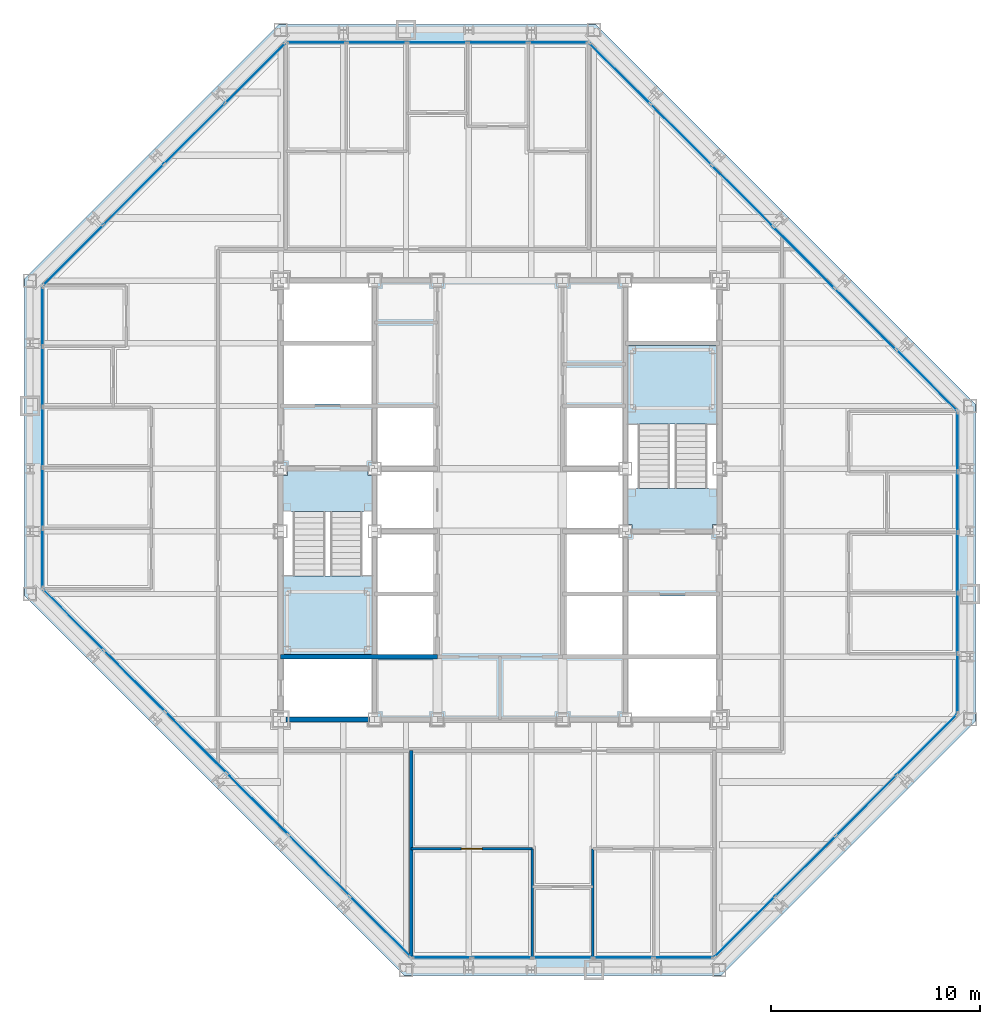
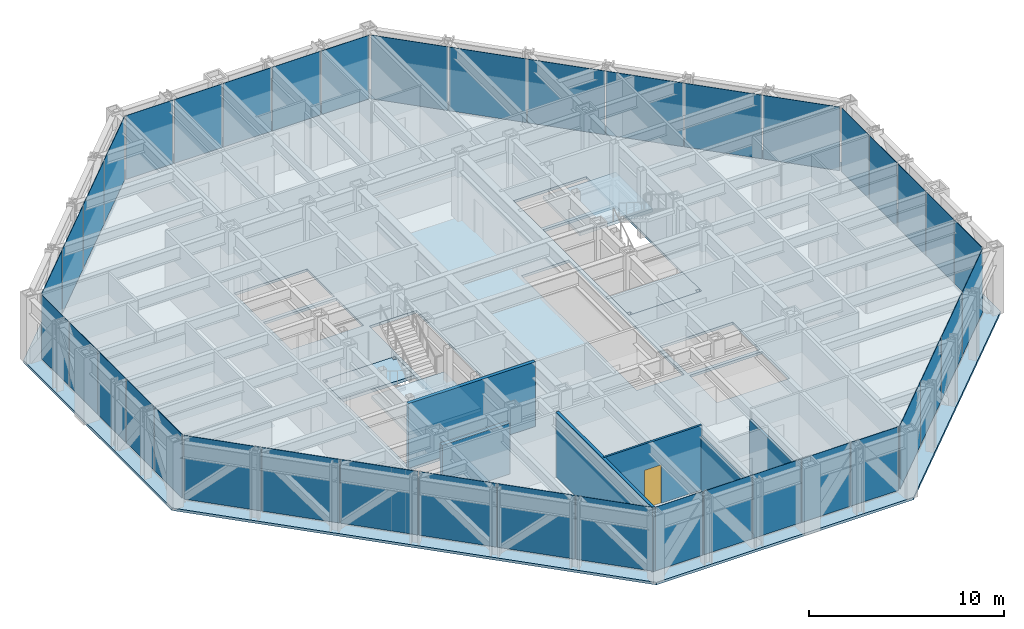
# One storey, part 10 of 16: 40 plates, 6 walls, 5 slabs, 1 door, 1 opening, 10 elements without a shape of their own.
"""IFC4 building model written with IfcOpenShell, lengths in metres."""

from ifc_helpers import new_model, si_unit, direction, frame, frame_2d, origin, origin_2d, place, context, subcontext, project, spatial, polyline, rectangle, outline, extrude, material, layer, layer_set, type_object, element, fill, aggregate, save


model = new_model("IFC4")

# Units and contexts
model_context = context("Model", 3, precision=1e-05, world=origin(), true_north=direction((0.0, 1.0)))
body_context = subcontext(model_context, "Body", "Model", "MODEL_VIEW")
ifc_project = project(units=[si_unit("LENGTHUNIT", "METRE"), si_unit("AREAUNIT", "SQUARE_METRE"), si_unit("VOLUMEUNIT", "CUBIC_METRE"), si_unit("PLANEANGLEUNIT", "RADIAN"), si_unit("MASSUNIT", "GRAM", prefix="KILO")], contexts=[model_context])

# Site, building, storey
site_placement = place(None, origin())
site = spatial("IfcSite", under=ifc_project, at=site_placement, CompositionType="ELEMENT")
building_placement = place(site_placement, origin())
building = spatial("IfcBuilding", under=site, at=building_placement, Name="Chuquiago Exchange Tower", CompositionType="ELEMENT")
storey_placement = place(building_placement, frame((0.0, 0.0, 201.300048828125)))
storey = spatial("IfcBuildingStorey", under=building, at=storey_placement, Name="L44", CompositionType="ELEMENT", Elevation=201.300048828125)

# Curtain wall, plate
ifc_material_1 = material(Name="Aluminium curtain wall system", Category="aluminium")
ifc_layer_1 = layer(ifc_material_1, 0.22509765625)
ifc_layer_set_1 = layer_set([ifc_layer_1], Name="CW2 office curtain wall")
curtain_wall_type_1 = type_object("IfcCurtainWallType", Name="CW2 office curtain wall", PredefinedType="NOTDEFINED", material=ifc_layer_set_1)
curtain_wall_1_placement = place(storey_placement, origin())
curtain_wall_1 = element("IfcCurtainWall", 1, at=curtain_wall_1_placement, inside=storey, type_object=curtain_wall_type_1, Name="CW2 curtain wall L44", PredefinedType="NOTDEFINED")
ifc_material_2 = material(Name="Glass, insulating unit", Category="glass")
ifc_layer_2 = layer(ifc_material_2, 0.030029296875)
ifc_layer_set_2 = layer_set([ifc_layer_2], Name="CW2-P panel 30")
plate_type_1 = type_object("IfcPlateType", Name="CW2-P panel 30", PredefinedType="CURTAIN_PANEL", material=ifc_layer_set_2)
plate_1_placement = place(storey_placement, frame((25.5, 0.60009765625, 0.06494140625), z_axis=(0.0, 0.0, 1.0), x_axis=(1.0, 0.0, 0.0)))
plate_1 = element("IfcPlate", 2, at=plate_1_placement, type_object=plate_type_1, Name="CW2 panel 3.1", PredefinedType="CURTAIN_PANEL", context=body_context, shape_type="SweptSolid", body=[
    extrude(rectangle(XDim=2.835693359375, YDim=0.030029296875, at=origin_2d()), origin(), (0.0, 0.0, 1.0), 3.97509765625),
])

curtain_wall_2_placement = place(storey_placement, origin())
curtain_wall_2 = element("IfcCurtainWall", 3, at=curtain_wall_2_placement, inside=storey, type_object=curtain_wall_type_1, Name="CW2 curtain wall L44", PredefinedType="NOTDEFINED")
plate_2_placement = place(storey_placement, frame((44.39990234375, 19.5, 0.06494140625), z_axis=(0.0, 0.0, 1.0), x_axis=(0.0, 1.0, 0.0)))
plate_2 = element("IfcPlate", 4, at=plate_2_placement, type_object=plate_type_1, Name="CW2 panel 3.1", PredefinedType="CURTAIN_PANEL", context=body_context, shape_type="SweptSolid", body=[
    extrude(rectangle(XDim=2.835693359375, YDim=0.030029296875, at=origin_2d()), origin(), (0.0, 0.0, 1.0), 3.97509765625),
])

curtain_wall_3_placement = place(storey_placement, origin())
curtain_wall_3 = element("IfcCurtainWall", 5, at=curtain_wall_3_placement, inside=storey, type_object=curtain_wall_type_1, Name="CW2 curtain wall L44", PredefinedType="NOTDEFINED")
plate_3_placement = place(storey_placement, frame((19.5, 44.39990234375, 0.06494140625), z_axis=(0.0, 0.0, 1.0), x_axis=(-1.0, 0.0, 0.0)))
plate_3 = element("IfcPlate", 6, at=plate_3_placement, type_object=plate_type_1, Name="CW2 panel 3.1", PredefinedType="CURTAIN_PANEL", context=body_context, shape_type="SweptSolid", body=[
    extrude(rectangle(XDim=2.835693359375, YDim=0.030029296875, at=origin_2d()), origin(), (0.0, 0.0, 1.0), 3.97509765625),
])

curtain_wall_4_placement = place(storey_placement, origin())
curtain_wall_4 = element("IfcCurtainWall", 7, at=curtain_wall_4_placement, inside=storey, type_object=curtain_wall_type_1, Name="CW2 curtain wall L44", PredefinedType="NOTDEFINED")
plate_4_placement = place(storey_placement, frame((0.60009765625, 25.5, 0.06494140625), z_axis=(0.0, 0.0, 1.0), x_axis=(0.0, -1.0, 0.0)))
plate_4 = element("IfcPlate", 8, at=plate_4_placement, type_object=plate_type_1, Name="CW2 panel 3.1", PredefinedType="CURTAIN_PANEL", context=body_context, shape_type="SweptSolid", body=[
    extrude(rectangle(XDim=2.835693359375, YDim=0.030029296875, at=origin_2d()), origin(), (0.0, 0.0, 1.0), 3.97509765625),
])

# Plate
ifc_material_3 = material(Name="Insulated spandrel panel, pale anodised aluminium", Category="aluminium")
ifc_layer_3 = layer(ifc_material_3, 0.030029296875)
ifc_layer_set_3 = layer_set([ifc_layer_3], Name="CW2-P spandrel panel 30")
plate_type_2 = type_object("IfcPlateType", Name="CW2-P spandrel panel 30", PredefinedType="CURTAIN_PANEL", material=ifc_layer_set_3)
plate_5_placement = place(storey_placement, frame((19.715087890625, 0.60009765625, 0.06494140625), z_axis=(0.0, 0.0, 1.0), x_axis=(1.0, 0.0, 0.0)))
plate_5 = element("IfcPlate", 9, at=plate_5_placement, type_object=plate_type_2, Name="CW2 panel 1.1", PredefinedType="CURTAIN_PANEL", context=body_context, shape_type="SweptSolid", body=[
    extrude(rectangle(XDim=2.802978515625, YDim=0.030029296875, at=origin_2d()), origin(), (0.0, 0.0, 1.0), 3.97509765625),
])

plate_6_placement = place(storey_placement, frame((22.599365234375, 0.60009765625, 0.06494140625), z_axis=(0.0, 0.0, 1.0), x_axis=(1.0, 0.0, 0.0)))
plate_6 = element("IfcPlate", 10, at=plate_6_placement, type_object=plate_type_2, Name="CW2 panel 2.1", PredefinedType="CURTAIN_PANEL", context=body_context, shape_type="SweptSolid", body=[
    extrude(rectangle(XDim=2.835693359375, YDim=0.030029296875, at=origin_2d()), origin(), (0.0, 0.0, 1.0), 3.97509765625),
])

plate_7_placement = place(storey_placement, frame((28.400634765625, 0.60009765625, 0.06494140625), z_axis=(0.0, 0.0, 1.0), x_axis=(1.0, 0.0, 0.0)))
plate_7 = element("IfcPlate", 11, at=plate_7_placement, type_object=plate_type_2, Name="CW2 panel 4.1", PredefinedType="CURTAIN_PANEL", context=body_context, shape_type="SweptSolid", body=[
    extrude(rectangle(XDim=2.835693359375, YDim=0.030029296875, at=origin_2d()), origin(), (0.0, 0.0, 1.0), 3.97509765625),
])

plate_8_placement = place(storey_placement, frame((31.284912109375, 0.60009765625, 0.06494140625), z_axis=(0.0, 0.0, 1.0), x_axis=(1.0, 0.0, 0.0)))
plate_8 = element("IfcPlate", 12, at=plate_8_placement, type_object=plate_type_2, Name="CW2 panel 5.1", PredefinedType="CURTAIN_PANEL", context=body_context, shape_type="SweptSolid", body=[
    extrude(rectangle(XDim=2.802978515625, YDim=0.030029296875, at=origin_2d()), origin(), (0.0, 0.0, 1.0), 3.97509765625),
])

aggregate(curtain_wall_1, [plate_5, plate_6, plate_1, plate_7, plate_8])

plate_9_placement = place(storey_placement, frame((44.39990234375, 13.715087890625, 0.06494140625), z_axis=(0.0, 0.0, 1.0), x_axis=(0.0, 1.0, 0.0)))
plate_9 = element("IfcPlate", 13, at=plate_9_placement, type_object=plate_type_2, Name="CW2 panel 1.1", PredefinedType="CURTAIN_PANEL", context=body_context, shape_type="SweptSolid", body=[
    extrude(rectangle(XDim=2.802978515625, YDim=0.030029296875, at=origin_2d()), origin(), (0.0, 0.0, 1.0), 3.97509765625),
])

plate_10_placement = place(storey_placement, frame((44.39990234375, 16.599365234375, 0.06494140625), z_axis=(0.0, 0.0, 1.0), x_axis=(0.0, 1.0, 0.0)))
plate_10 = element("IfcPlate", 14, at=plate_10_placement, type_object=plate_type_2, Name="CW2 panel 2.1", PredefinedType="CURTAIN_PANEL", context=body_context, shape_type="SweptSolid", body=[
    extrude(rectangle(XDim=2.835693359375, YDim=0.030029296875, at=origin_2d()), origin(), (0.0, 0.0, 1.0), 3.97509765625),
])

plate_11_placement = place(storey_placement, frame((44.39990234375, 22.400634765625, 0.06494140625), z_axis=(0.0, 0.0, 1.0), x_axis=(0.0, 1.0, 0.0)))
plate_11 = element("IfcPlate", 15, at=plate_11_placement, type_object=plate_type_2, Name="CW2 panel 4.1", PredefinedType="CURTAIN_PANEL", context=body_context, shape_type="SweptSolid", body=[
    extrude(rectangle(XDim=2.835693359375, YDim=0.030029296875, at=origin_2d()), origin(), (0.0, 0.0, 1.0), 3.97509765625),
])

plate_12_placement = place(storey_placement, frame((44.39990234375, 25.284912109375, 0.06494140625), z_axis=(0.0, 0.0, 1.0), x_axis=(0.0, 1.0, 0.0)))
plate_12 = element("IfcPlate", 16, at=plate_12_placement, type_object=plate_type_2, Name="CW2 panel 5.1", PredefinedType="CURTAIN_PANEL", context=body_context, shape_type="SweptSolid", body=[
    extrude(rectangle(XDim=2.802978515625, YDim=0.030029296875, at=origin_2d()), origin(), (0.0, 0.0, 1.0), 3.97509765625),
])

aggregate(curtain_wall_2, [plate_9, plate_10, plate_2, plate_11, plate_12])

plate_13_placement = place(storey_placement, frame((25.284912109375, 44.39990234375, 0.06494140625), z_axis=(0.0, 0.0, 1.0), x_axis=(-1.0, 0.0, 0.0)))
plate_13 = element("IfcPlate", 17, at=plate_13_placement, type_object=plate_type_2, Name="CW2 panel 1.1", PredefinedType="CURTAIN_PANEL", context=body_context, shape_type="SweptSolid", body=[
    extrude(rectangle(XDim=2.802978515625, YDim=0.030029296875, at=origin_2d()), origin(), (0.0, 0.0, 1.0), 3.97509765625),
])

plate_14_placement = place(storey_placement, frame((22.400634765625, 44.39990234375, 0.06494140625), z_axis=(0.0, 0.0, 1.0), x_axis=(-1.0, 0.0, 0.0)))
plate_14 = element("IfcPlate", 18, at=plate_14_placement, type_object=plate_type_2, Name="CW2 panel 2.1", PredefinedType="CURTAIN_PANEL", context=body_context, shape_type="SweptSolid", body=[
    extrude(rectangle(XDim=2.835693359375, YDim=0.030029296875, at=origin_2d()), origin(), (0.0, 0.0, 1.0), 3.97509765625),
])

plate_15_placement = place(storey_placement, frame((16.599365234375, 44.39990234375, 0.06494140625), z_axis=(0.0, 0.0, 1.0), x_axis=(-1.0, 0.0, 0.0)))
plate_15 = element("IfcPlate", 19, at=plate_15_placement, type_object=plate_type_2, Name="CW2 panel 4.1", PredefinedType="CURTAIN_PANEL", context=body_context, shape_type="SweptSolid", body=[
    extrude(rectangle(XDim=2.835693359375, YDim=0.030029296875, at=origin_2d()), origin(), (0.0, 0.0, 1.0), 3.97509765625),
])

plate_16_placement = place(storey_placement, frame((13.715087890625, 44.39990234375, 0.06494140625), z_axis=(0.0, 0.0, 1.0), x_axis=(-1.0, 0.0, 0.0)))
plate_16 = element("IfcPlate", 20, at=plate_16_placement, type_object=plate_type_2, Name="CW2 panel 5.1", PredefinedType="CURTAIN_PANEL", context=body_context, shape_type="SweptSolid", body=[
    extrude(rectangle(XDim=2.802978515625, YDim=0.030029296875, at=origin_2d()), origin(), (0.0, 0.0, 1.0), 3.97509765625),
])

aggregate(curtain_wall_3, [plate_13, plate_14, plate_3, plate_15, plate_16])

plate_17_placement = place(storey_placement, frame((0.60009765625, 31.284912109375, 0.06494140625), z_axis=(0.0, 0.0, 1.0), x_axis=(0.0, -1.0, 0.0)))
plate_17 = element("IfcPlate", 21, at=plate_17_placement, type_object=plate_type_2, Name="CW2 panel 1.1", PredefinedType="CURTAIN_PANEL", context=body_context, shape_type="SweptSolid", body=[
    extrude(rectangle(XDim=2.802978515625, YDim=0.030029296875, at=origin_2d()), origin(), (0.0, 0.0, 1.0), 3.97509765625),
])

plate_18_placement = place(storey_placement, frame((0.60009765625, 28.400634765625, 0.06494140625), z_axis=(0.0, 0.0, 1.0), x_axis=(0.0, -1.0, 0.0)))
plate_18 = element("IfcPlate", 22, at=plate_18_placement, type_object=plate_type_2, Name="CW2 panel 2.1", PredefinedType="CURTAIN_PANEL", context=body_context, shape_type="SweptSolid", body=[
    extrude(rectangle(XDim=2.835693359375, YDim=0.030029296875, at=origin_2d()), origin(), (0.0, 0.0, 1.0), 3.97509765625),
])

plate_19_placement = place(storey_placement, frame((0.60009765625, 22.599365234375, 0.06494140625), z_axis=(0.0, 0.0, 1.0), x_axis=(0.0, -1.0, 0.0)))
plate_19 = element("IfcPlate", 23, at=plate_19_placement, type_object=plate_type_2, Name="CW2 panel 4.1", PredefinedType="CURTAIN_PANEL", context=body_context, shape_type="SweptSolid", body=[
    extrude(rectangle(XDim=2.835693359375, YDim=0.030029296875, at=origin_2d()), origin(), (0.0, 0.0, 1.0), 3.97509765625),
])

plate_20_placement = place(storey_placement, frame((0.60009765625, 19.715087890625, 0.06494140625), z_axis=(0.0, 0.0, 1.0), x_axis=(0.0, -1.0, 0.0)))
plate_20 = element("IfcPlate", 24, at=plate_20_placement, type_object=plate_type_2, Name="CW2 panel 5.1", PredefinedType="CURTAIN_PANEL", context=body_context, shape_type="SweptSolid", body=[
    extrude(rectangle(XDim=2.802978515625, YDim=0.030029296875, at=origin_2d()), origin(), (0.0, 0.0, 1.0), 3.97509765625),
])

aggregate(curtain_wall_4, [plate_17, plate_18, plate_4, plate_19, plate_20])

# Curtain wall, plates
ifc_material_4 = material(Name="Aluminium curtain wall system", Category="aluminium")
ifc_layer_4 = layer(ifc_material_4, 0.199951171875)
ifc_layer_set_4 = layer_set([ifc_layer_4], Name="CW3 facet curtain wall")
curtain_wall_type_2 = type_object("IfcCurtainWallType", Name="CW3 facet curtain wall", PredefinedType="NOTDEFINED", material=ifc_layer_set_4)
curtain_wall_5_placement = place(storey_placement, origin())
curtain_wall_5 = element("IfcCurtainWall", 25, at=curtain_wall_5_placement, inside=storey, type_object=curtain_wall_type_2, Name="CW3 curtain wall L44", PredefinedType="NOTDEFINED")
ifc_material_5 = material(Name="Insulated spandrel panel, pale anodised aluminium", Category="aluminium")
ifc_layer_5 = layer(ifc_material_5, 0.030029296875)
ifc_layer_set_5 = layer_set([ifc_layer_5], Name="CW3-P spandrel panel 30")
plate_type_3 = type_object("IfcPlateType", Name="CW3-P spandrel panel 30", PredefinedType="CURTAIN_PANEL", material=ifc_layer_set_5)
plate_21_placement = place(storey_placement, frame((34.218994140625, 2.067626953125, 0.06494140625), z_axis=(0.0, 0.0, 1.0), x_axis=(0.707106781187, 0.707106781187, 0.0)))
plate_21 = element("IfcPlate", 26, at=plate_21_placement, type_object=plate_type_3, Name="CW3 panel 1.1", PredefinedType="CURTAIN_PANEL", context=body_context, shape_type="SweptSolid", body=[
    extrude(rectangle(XDim=4.020751953125, YDim=0.030029296875, at=origin_2d()), origin(), (0.0, 0.0, 1.0), 3.97509765625),
])
plate_22_placement = place(storey_placement, frame((37.11962890625, 4.96826171875, 0.06494140625), z_axis=(0.0, 0.0, 1.0), x_axis=(0.707106781187, 0.707106781187, 0.0)))
plate_22 = element("IfcPlate", 27, at=plate_22_placement, type_object=plate_type_3, Name="CW3 panel 2.1", PredefinedType="CURTAIN_PANEL", context=body_context, shape_type="SweptSolid", body=[
    extrude(rectangle(XDim=4.053466796875, YDim=0.030029296875, at=origin_2d()), origin(), (0.0, 0.0, 1.0), 3.97509765625),
])
plate_23_placement = place(storey_placement, frame((40.03173828125, 7.88037109375, 0.06494140625), z_axis=(0.0, 0.0, 1.0), x_axis=(0.707106781187, 0.707106781187, 0.0)))
plate_23 = element("IfcPlate", 28, at=plate_23_placement, type_object=plate_type_3, Name="CW3 panel 3.1", PredefinedType="CURTAIN_PANEL", context=body_context, shape_type="SweptSolid", body=[
    extrude(rectangle(XDim=4.053466796875, YDim=0.030029296875, at=origin_2d()), origin(), (0.0, 0.0, 1.0), 3.97509765625),
])
plate_24_placement = place(storey_placement, frame((42.932373046875, 10.781005859375, 0.06494140625), z_axis=(0.0, 0.0, 1.0), x_axis=(0.707106781187, 0.707106781187, 0.0)))
plate_24 = element("IfcPlate", 29, at=plate_24_placement, type_object=plate_type_3, Name="CW3 panel 4.1", PredefinedType="CURTAIN_PANEL", context=body_context, shape_type="SweptSolid", body=[
    extrude(rectangle(XDim=4.020751953125, YDim=0.030029296875, at=origin_2d()), origin(), (0.0, 0.0, 1.0), 3.97509765625),
])
aggregate(curtain_wall_5, [plate_21, plate_22, plate_23, plate_24])

curtain_wall_6_placement = place(storey_placement, origin())
curtain_wall_6 = element("IfcCurtainWall", 30, at=curtain_wall_6_placement, inside=storey, type_object=curtain_wall_type_2, Name="CW3 curtain wall L44", PredefinedType="NOTDEFINED")
plate_25_placement = place(storey_placement, frame((42.917724609375, 28.233642578125, 0.06494140625), z_axis=(0.0, 0.0, 1.0), x_axis=(-0.707106781187, 0.707106781187, 0.0)))
plate_25 = element("IfcPlate", 31, at=plate_25_placement, type_object=plate_type_3, Name="CW3 panel 1.1", PredefinedType="CURTAIN_PANEL", context=body_context, shape_type="SweptSolid", body=[
    extrude(rectangle(XDim=4.062255859375, YDim=0.030029296875, at=origin_2d()), origin(), (0.0, 0.0, 1.0), 3.97509765625),
])
plate_26_placement = place(storey_placement, frame((39.98779296875, 31.16357421875, 0.06494140625), z_axis=(0.0, 0.0, 1.0), x_axis=(-0.707106781187, 0.707106781187, 0.0)))
plate_26 = element("IfcPlate", 32, at=plate_26_placement, type_object=plate_type_3, Name="CW3 panel 2.1", PredefinedType="CURTAIN_PANEL", context=body_context, shape_type="SweptSolid", body=[
    extrude(rectangle(XDim=4.0947265625, YDim=0.030029296875, at=origin_2d()), origin(), (0.0, 0.0, 1.0), 3.97509765625),
])
plate_27_placement = place(storey_placement, frame((37.04638671875, 34.10498046875, 0.06494140625), z_axis=(0.0, 0.0, 1.0), x_axis=(-0.707106781187, 0.707106781187, 0.0)))
plate_27 = element("IfcPlate", 33, at=plate_27_placement, type_object=plate_type_3, Name="CW3 panel 3.1", PredefinedType="CURTAIN_PANEL", context=body_context, shape_type="SweptSolid", body=[
    extrude(rectangle(XDim=4.0947265625, YDim=0.030029296875, at=origin_2d()), origin(), (0.0, 0.0, 1.0), 3.97509765625),
])
plate_28_placement = place(storey_placement, frame((34.10498046875, 37.04638671875, 0.06494140625), z_axis=(0.0, 0.0, 1.0), x_axis=(-0.707106781187, 0.707106781187, 0.0)))
plate_28 = element("IfcPlate", 34, at=plate_28_placement, type_object=plate_type_3, Name="CW3 panel 4.1", PredefinedType="CURTAIN_PANEL", context=body_context, shape_type="SweptSolid", body=[
    extrude(rectangle(XDim=4.0947265625, YDim=0.030029296875, at=origin_2d()), origin(), (0.0, 0.0, 1.0), 3.97509765625),
])
plate_29_placement = place(storey_placement, frame((31.16357421875, 39.98779296875, 0.06494140625), z_axis=(0.0, 0.0, 1.0), x_axis=(-0.707106781187, 0.707106781187, 0.0)))
plate_29 = element("IfcPlate", 35, at=plate_29_placement, type_object=plate_type_3, Name="CW3 panel 5.1", PredefinedType="CURTAIN_PANEL", context=body_context, shape_type="SweptSolid", body=[
    extrude(rectangle(XDim=4.0947265625, YDim=0.030029296875, at=origin_2d()), origin(), (0.0, 0.0, 1.0), 3.97509765625),
])
plate_30_placement = place(storey_placement, frame((28.233642578125, 42.917724609375, 0.06494140625), z_axis=(0.0, 0.0, 1.0), x_axis=(-0.707106781187, 0.707106781187, 0.0)))
plate_30 = element("IfcPlate", 36, at=plate_30_placement, type_object=plate_type_3, Name="CW3 panel 6.1", PredefinedType="CURTAIN_PANEL", context=body_context, shape_type="SweptSolid", body=[
    extrude(rectangle(XDim=4.062255859375, YDim=0.030029296875, at=origin_2d()), origin(), (0.0, 0.0, 1.0), 3.97509765625),
])
aggregate(curtain_wall_6, [plate_25, plate_26, plate_27, plate_28, plate_29, plate_30])

curtain_wall_7_placement = place(storey_placement, origin())
curtain_wall_7 = element("IfcCurtainWall", 37, at=curtain_wall_7_placement, inside=storey, type_object=curtain_wall_type_2, Name="CW3 curtain wall L44", PredefinedType="NOTDEFINED")
plate_31_placement = place(storey_placement, frame((10.781005859375, 42.932373046875, 0.06494140625), z_axis=(0.0, 0.0, 1.0), x_axis=(-0.707106781187, -0.707106781187, 0.0)))
plate_31 = element("IfcPlate", 38, at=plate_31_placement, type_object=plate_type_3, Name="CW3 panel 1.1", PredefinedType="CURTAIN_PANEL", context=body_context, shape_type="SweptSolid", body=[
    extrude(rectangle(XDim=4.020751953125, YDim=0.030029296875, at=origin_2d()), origin(), (0.0, 0.0, 1.0), 3.97509765625),
])
plate_32_placement = place(storey_placement, frame((7.88037109375, 40.03173828125, 0.06494140625), z_axis=(0.0, 0.0, 1.0), x_axis=(-0.707106781187, -0.707106781187, 0.0)))
plate_32 = element("IfcPlate", 39, at=plate_32_placement, type_object=plate_type_3, Name="CW3 panel 2.1", PredefinedType="CURTAIN_PANEL", context=body_context, shape_type="SweptSolid", body=[
    extrude(rectangle(XDim=4.053466796875, YDim=0.030029296875, at=origin_2d()), origin(), (0.0, 0.0, 1.0), 3.97509765625),
])
plate_33_placement = place(storey_placement, frame((4.96826171875, 37.11962890625, 0.06494140625), z_axis=(0.0, 0.0, 1.0), x_axis=(-0.707106781187, -0.707106781187, 0.0)))
plate_33 = element("IfcPlate", 40, at=plate_33_placement, type_object=plate_type_3, Name="CW3 panel 3.1", PredefinedType="CURTAIN_PANEL", context=body_context, shape_type="SweptSolid", body=[
    extrude(rectangle(XDim=4.053466796875, YDim=0.030029296875, at=origin_2d()), origin(), (0.0, 0.0, 1.0), 3.97509765625),
])
plate_34_placement = place(storey_placement, frame((2.067626953125, 34.218994140625, 0.06494140625), z_axis=(0.0, 0.0, 1.0), x_axis=(-0.707106781187, -0.707106781187, 0.0)))
plate_34 = element("IfcPlate", 41, at=plate_34_placement, type_object=plate_type_3, Name="CW3 panel 4.1", PredefinedType="CURTAIN_PANEL", context=body_context, shape_type="SweptSolid", body=[
    extrude(rectangle(XDim=4.020751953125, YDim=0.030029296875, at=origin_2d()), origin(), (0.0, 0.0, 1.0), 3.97509765625),
])
aggregate(curtain_wall_7, [plate_31, plate_32, plate_33, plate_34])

curtain_wall_8_placement = place(storey_placement, origin())
curtain_wall_8 = element("IfcCurtainWall", 42, at=curtain_wall_8_placement, inside=storey, type_object=curtain_wall_type_2, Name="CW3 curtain wall L44", PredefinedType="NOTDEFINED")
plate_35_placement = place(storey_placement, frame((2.082275390625, 16.766357421875, 0.06494140625), z_axis=(0.0, 0.0, 1.0), x_axis=(0.707106781187, -0.707106781187, 0.0)))
plate_35 = element("IfcPlate", 43, at=plate_35_placement, type_object=plate_type_3, Name="CW3 panel 1.1", PredefinedType="CURTAIN_PANEL", context=body_context, shape_type="SweptSolid", body=[
    extrude(rectangle(XDim=4.062255859375, YDim=0.030029296875, at=origin_2d()), origin(), (0.0, 0.0, 1.0), 3.97509765625),
])
plate_36_placement = place(storey_placement, frame((5.01220703125, 13.83642578125, 0.06494140625), z_axis=(0.0, 0.0, 1.0), x_axis=(0.707106781187, -0.707106781187, 0.0)))
plate_36 = element("IfcPlate", 44, at=plate_36_placement, type_object=plate_type_3, Name="CW3 panel 2.1", PredefinedType="CURTAIN_PANEL", context=body_context, shape_type="SweptSolid", body=[
    extrude(rectangle(XDim=4.0947265625, YDim=0.030029296875, at=origin_2d()), origin(), (0.0, 0.0, 1.0), 3.97509765625),
])
plate_37_placement = place(storey_placement, frame((7.95361328125, 10.89501953125, 0.06494140625), z_axis=(0.0, 0.0, 1.0), x_axis=(0.707106781187, -0.707106781187, 0.0)))
plate_37 = element("IfcPlate", 45, at=plate_37_placement, type_object=plate_type_3, Name="CW3 panel 3.1", PredefinedType="CURTAIN_PANEL", context=body_context, shape_type="SweptSolid", body=[
    extrude(rectangle(XDim=4.0947265625, YDim=0.030029296875, at=origin_2d()), origin(), (0.0, 0.0, 1.0), 3.97509765625),
])
plate_38_placement = place(storey_placement, frame((10.89501953125, 7.95361328125, 0.06494140625), z_axis=(0.0, 0.0, 1.0), x_axis=(0.707106781187, -0.707106781187, 0.0)))
plate_38 = element("IfcPlate", 46, at=plate_38_placement, type_object=plate_type_3, Name="CW3 panel 4.1", PredefinedType="CURTAIN_PANEL", context=body_context, shape_type="SweptSolid", body=[
    extrude(rectangle(XDim=4.0947265625, YDim=0.030029296875, at=origin_2d()), origin(), (0.0, 0.0, 1.0), 3.97509765625),
])
plate_39_placement = place(storey_placement, frame((13.83642578125, 5.01220703125, 0.06494140625), z_axis=(0.0, 0.0, 1.0), x_axis=(0.707106781187, -0.707106781187, 0.0)))
plate_39 = element("IfcPlate", 47, at=plate_39_placement, type_object=plate_type_3, Name="CW3 panel 5.1", PredefinedType="CURTAIN_PANEL", context=body_context, shape_type="SweptSolid", body=[
    extrude(rectangle(XDim=4.0947265625, YDim=0.030029296875, at=origin_2d()), origin(), (0.0, 0.0, 1.0), 3.97509765625),
])
plate_40_placement = place(storey_placement, frame((16.766357421875, 2.082275390625, 0.06494140625), z_axis=(0.0, 0.0, 1.0), x_axis=(0.707106781187, -0.707106781187, 0.0)))
plate_40 = element("IfcPlate", 48, at=plate_40_placement, type_object=plate_type_3, Name="CW3 panel 6.1", PredefinedType="CURTAIN_PANEL", context=body_context, shape_type="SweptSolid", body=[
    extrude(rectangle(XDim=4.062255859375, YDim=0.030029296875, at=origin_2d()), origin(), (0.0, 0.0, 1.0), 3.97509765625),
])
aggregate(curtain_wall_8, [plate_35, plate_36, plate_37, plate_38, plate_39, plate_40])

# Slab
ifc_material_6 = material(Name="Concrete C30/37", Category="concrete")
ifc_layer_6 = layer(ifc_material_6, 0.159912109375)
ifc_layer_set_6 = layer_set([ifc_layer_6], Name="FS1 composite floor 160")
slab_type_1 = type_object("IfcSlabType", Name="FS1 composite floor 160", PredefinedType="FLOOR", material=ifc_layer_set_6)
slab_1_placement = place(storey_placement, frame((0.0, 0.0, -0.16015625)))
element("IfcSlab", 49, at=slab_1_placement, inside=storey, type_object=slab_type_1, Name="L44 floor slab", PredefinedType="FLOOR", context=body_context, shape_type="SweptSolid", body=[
    extrude(outline(polyline([(17.896484375, -0.25), (-0.25, 17.896484375), (-0.25, 33.103515625), (11.896484375, 45.25), (27.103515625, 45.25), (45.25, 27.103515625), (45.25, 11.896484375), (33.103515625, -0.25), (17.896484375, -0.25)]), holes=[polyline([(16.39990234375, 15.10009765625), (12.10009765625, 15.10009765625), (12.10009765625, 23.89990234375), (16.39990234375, 23.89990234375), (16.39990234375, 15.10009765625)]), polyline([(32.89990234375, 21.10009765625), (28.60009765625, 21.10009765625), (28.60009765625, 29.89990234375), (32.89990234375, 29.89990234375), (32.89990234375, 21.10009765625)]), polyline([(16.39990234375, 12.10009765625), (12.10009765625, 12.10009765625), (12.10009765625, 14.89990234375), (16.39990234375, 14.89990234375), (16.39990234375, 12.10009765625)]), polyline([(16.39990234375, 30.10009765625), (12.10009765625, 30.10009765625), (12.10009765625, 32.89990234375), (16.39990234375, 32.89990234375), (16.39990234375, 30.10009765625)]), polyline([(32.89990234375, 12.10009765625), (28.60009765625, 12.10009765625), (28.60009765625, 14.89990234375), (32.89990234375, 14.89990234375), (32.89990234375, 12.10009765625)]), polyline([(32.89990234375, 30.10009765625), (28.60009765625, 30.10009765625), (28.60009765625, 32.89990234375), (32.89990234375, 32.89990234375), (32.89990234375, 30.10009765625)]), polyline([(16.39990234375, 27.10009765625), (12.10009765625, 27.10009765625), (12.10009765625, 29.89990234375), (16.39990234375, 29.89990234375), (16.39990234375, 27.10009765625)]), polyline([(32.89990234375, 15.10009765625), (28.60009765625, 15.10009765625), (28.60009765625, 17.89990234375), (32.89990234375, 17.89990234375), (32.89990234375, 15.10009765625)]), polyline([(19.39990234375, 15.10009765625), (16.60009765625, 15.10009765625), (16.60009765625, 26.89990234375), (19.39990234375, 26.89990234375), (19.39990234375, 15.10009765625)]), polyline([(28.39990234375, 15.10009765625), (25.60009765625, 15.10009765625), (25.60009765625, 26.89990234375), (28.39990234375, 26.89990234375), (28.39990234375, 15.10009765625)])]), origin(), (0.0, 0.0, 1.0), 0.16015625),
])

# Stair, slabs
ifc_material_7 = material(Name="Concrete C30/37, precast", Category="concrete")
stair_type_1 = type_object("IfcStairType", Name="ST1 half-turn stair 4200", PredefinedType="HALF_TURN_STAIR", material=ifc_material_7)
stair_1_placement = place(storey_placement, origin())
stair_1 = element("IfcStair", 50, at=stair_1_placement, inside=storey, type_object=stair_type_1, Name="Stair ST1 L44", PredefinedType="HALF_TURN_STAIR")
ifc_material_8 = material(Name="Concrete C30/37, precast", Category="concrete")
ifc_layer_7 = layer(ifc_material_8, 0.199951171875)
ifc_layer_set_7 = layer_set([ifc_layer_7], Name="ST-L landing 200")
slab_type_2 = type_object("IfcSlabType", Name="ST-L landing 200", PredefinedType="LANDING", material=ifc_layer_set_7)
slab_2_placement = place(storey_placement, frame((0.0, 0.0, -0.199951171875)))
slab_2 = element("IfcSlab", 51, at=slab_2_placement, type_object=slab_type_2, Name="ST1 landing 1", PredefinedType="LANDING", context=body_context, shape_type="SweptSolid", body=[
    extrude(outline(polyline([(12.324951171875, 23.89990234375), (16.175048828125, 23.89990234375), (16.175048828125, 23.675048828125), (16.39990234375, 23.675048828125), (16.39990234375, 21.949951171875), (12.10009765625, 21.949951171875), (12.10009765625, 23.675048828125), (12.324951171875, 23.675048828125), (12.324951171875, 23.89990234375)])), origin(), (0.0, 0.0, 1.0), 0.199951171875),
])
slab_3_placement = place(storey_placement, frame((0.0, 0.0, 1.89990234375)))
slab_3 = element("IfcSlab", 52, at=slab_3_placement, type_object=slab_type_2, Name="ST1 landing 2", PredefinedType="LANDING", context=body_context, shape_type="SweptSolid", body=[
    extrude(outline(polyline([(12.10009765625, 18.8701171875), (16.39990234375, 18.8701171875), (16.39990234375, 15.10009765625), (12.10009765625, 15.10009765625), (12.10009765625, 18.8701171875)])), origin(), (0.0, 0.0, 1.0), 0.199951171875),
])
aggregate(stair_1, [slab_2, slab_3])

ifc_material_9 = material(Name="Concrete C30/37, precast", Category="concrete")
stair_type_2 = type_object("IfcStairType", Name="ST2 half-turn stair 4200", PredefinedType="HALF_TURN_STAIR", material=ifc_material_9)
stair_2_placement = place(storey_placement, origin())
stair_2 = element("IfcStair", 53, at=stair_2_placement, inside=storey, type_object=stair_type_2, Name="Stair ST2 L44", PredefinedType="HALF_TURN_STAIR")
slab_4_placement = place(storey_placement, frame((0.0, 0.0, -0.199951171875)))
slab_4 = element("IfcSlab", 54, at=slab_4_placement, type_object=slab_type_2, Name="ST2 landing 1", PredefinedType="LANDING", context=body_context, shape_type="SweptSolid", body=[
    extrude(outline(polyline([(32.675048828125, 21.324951171875), (32.675048828125, 21.10009765625), (28.824951171875, 21.10009765625), (28.824951171875, 21.324951171875), (28.60009765625, 21.324951171875), (28.60009765625, 23.050048828125), (32.89990234375, 23.050048828125), (32.89990234375, 21.324951171875), (32.675048828125, 21.324951171875)])), origin(), (0.0, 0.0, 1.0), 0.199951171875),
])
slab_5_placement = place(storey_placement, frame((0.0, 0.0, 1.89990234375)))
slab_5 = element("IfcSlab", 55, at=slab_5_placement, type_object=slab_type_2, Name="ST2 landing 2", PredefinedType="LANDING", context=body_context, shape_type="SweptSolid", body=[
    extrude(outline(polyline([(28.60009765625, 29.89990234375), (32.89990234375, 29.89990234375), (32.89990234375, 26.1298828125), (28.60009765625, 26.1298828125), (28.60009765625, 29.89990234375)])), origin(), (0.0, 0.0, 1.0), 0.199951171875),
])
aggregate(stair_2, [slab_4, slab_5])

# Walls
ifc_material_10 = material(Name="Concrete masonry, fully grouted", Category="masonry")
ifc_layer_8 = layer(ifc_material_10, 0.25)
ifc_layer_set_8 = layer_set([ifc_layer_8], Name="W1 core wall 250")
wall_type_1 = type_object("IfcWallType", Name="W1 core wall 250", PredefinedType="SOLIDWALL", material=ifc_layer_set_8)
wall_1_placement = place(storey_placement, frame((12.25, 12.0, 0.0), z_axis=(0.0, 0.0, 1.0), x_axis=(1.0, 0.0, 0.0)))
element("IfcWall", 56, at=wall_1_placement, inside=storey, type_object=wall_type_1, Name="CW-L44-01-0", PredefinedType="SOLIDWALL", context=body_context, shape_type="SweptSolid", body=[
    extrude(rectangle(XDim=4.0, YDim=0.25, at=frame_2d((2.0, 0.0))), origin(), (0.0, 0.0, 1.0), 3.181396484375),
])
ifc_material_11 = material(Name="Gypsum board on twin steel studs, acoustic insulation", Category="steel")
ifc_layer_9 = layer(ifc_material_11, 0.175048828125)
ifc_layer_set_9 = layer_set([ifc_layer_9], Name="W12 tenant demising wall 175")
wall_type_2 = type_object("IfcWallType", Name="W12 tenant demising wall 175", PredefinedType="PARTITIONING", material=ifc_layer_set_9)
wall_2_placement = place(storey_placement, frame((18.24853515625, 0.666015625, 0.0), z_axis=(0.0, 0.0, 1.0), x_axis=(0.0, 1.0, 0.0)))
element("IfcWall", 57, at=wall_2_placement, inside=storey, type_object=wall_type_2, Name="PW-L44-DS01825", PredefinedType="PARTITIONING", context=body_context, shape_type="SweptSolid", body=[
    extrude(rectangle(XDim=9.833984375, YDim=0.175048828125, at=frame_2d((4.9169921875, 0.0))), origin(), (0.0, 0.0, 1.0), 4.0400390625),
])
ifc_material_12 = material(Name="Concrete masonry, fully grouted", Category="masonry")
ifc_layer_10 = layer(ifc_material_12, 0.199951171875)
ifc_layer_set_10 = layer_set([ifc_layer_10], Name="W2 shaft wall 200")
wall_type_3 = type_object("IfcWallType", Name="W2 shaft wall 200", PredefinedType="SOLIDWALL", material=ifc_layer_set_10)
wall_3_placement = place(storey_placement, frame((12.0, 15.0, 0.0), z_axis=(0.0, 0.0, 1.0), x_axis=(1.0, 0.0, 0.0)))
element("IfcWall", 58, at=wall_3_placement, inside=storey, type_object=wall_type_3, Name="CW-L44-03-0", PredefinedType="SOLIDWALL", context=body_context, shape_type="SweptSolid", body=[
    extrude(rectangle(XDim=7.5, YDim=0.199951171875, at=frame_2d((3.75, 0.0))), origin(), (0.0, 0.0, 1.0), 4.0400390625),
])
ifc_material_13 = material(Name="Gypsum board on steel studs", Category="steel")
ifc_layer_11 = layer(ifc_material_13, 0.1201171875)
ifc_layer_set_11 = layer_set([ifc_layer_11], Name="W4 partition 120")
wall_type_4 = type_object("IfcWallType", Name="W4 partition 120", PredefinedType="PARTITIONING", material=ifc_layer_set_11)
for number, where, z_axis, x_axis, name in (
    (59, (24.0498046875, 0.652587890625, 0.0), (0.0, 0.0, 1.0), (0.0, 1.0, 0.0), "PW-L44-S02405"),
    (60, (26.9501953125, 0.652587890625, 0.0), (0.0, 0.0, 1.0), (0.0, 1.0, 0.0), "PW-L44-S02695"),
):
    element("IfcWall", number, at=place(storey_placement, frame(where, z_axis=z_axis, x_axis=x_axis)), inside=storey, type_object=wall_type_4, Name=name, PredefinedType="PARTITIONING", context=body_context, shape_type="SweptSolid", body=[
        extrude(rectangle(XDim=5.1474609375, YDim=0.1201171875, at=frame_2d((2.57373046875, 0.0))), origin(), (0.0, 0.0, 1.0), 3.356689453125),
    ])

# Wall, opening, door
wall_4_placement = place(storey_placement, frame((18.24853515625, 5.800048828125, 0.0), z_axis=(0.0, 0.0, 1.0), x_axis=(1.0, 0.0, 0.0)))
wall_4 = element("IfcWall", 61, at=wall_4_placement, inside=storey, type_object=wall_type_4, Name="PW-L44-SF01825", PredefinedType="PARTITIONING", context=body_context, shape_type="SweptSolid", body=[
    extrude(rectangle(XDim=5.80126953125, YDim=0.1201171875, at=frame_2d((2.900634765625, 0.0))), origin(), (0.0, 0.0, 1.0), 4.0400390625),
])
opening_placement = place(wall_4_placement, frame((2.400634765625, 0.0, 0.0)))
opening = element("IfcOpeningElement", 62, at=opening_placement, cuts=wall_4, Name="Opening L44-021", PredefinedType="OPENING", context=body_context, shape_type="SweptSolid", body=[
    extrude(rectangle(XDim=1.0, YDim=2.39990234375, at=frame_2d((0.5, 1.199951171875))), frame((0.0, 0.070068359375, 0.0), z_axis=(0.0, -1.0, 0.0), x_axis=(1.0, 0.0, 0.0)), (0.0, 0.0, 1.0), 0.14013671875),
])
ifc_material_14 = material(Name="Timber frame door, full height glazed panel", Category="wood")
door_type = type_object("IfcDoorType", Name="D14 glazed meeting room door 1000x2400", OperationType="SINGLE_SWING_LEFT", PredefinedType="DOOR", material=ifc_material_14)
door_placement = place(opening_placement, frame((1.0, 0.0, 0.0), z_axis=(0.0, 0.0, 1.0), x_axis=(-1.0, 0.0, 0.0)))
door = element("IfcDoor", 63, at=door_placement, inside=storey, type_object=door_type, Name="Meeting room door", OperationType="SINGLE_SWING_RIGHT", OverallHeight=2.39990234375, OverallWidth=1.0, PredefinedType="DOOR", context=body_context, shape_type="SweptSolid", body=[
    extrude(rectangle(XDim=1.0, YDim=2.39990234375, at=frame_2d((0.5, 1.199951171875))), frame((0.0, 0.02490234375, 0.0), z_axis=(0.0, -1.0, 0.0), x_axis=(1.0, 0.0, 0.0)), (0.0, 0.0, 1.0), 0.050048828125),
])
fill(opening, door)

save(model, "model.ifc")
